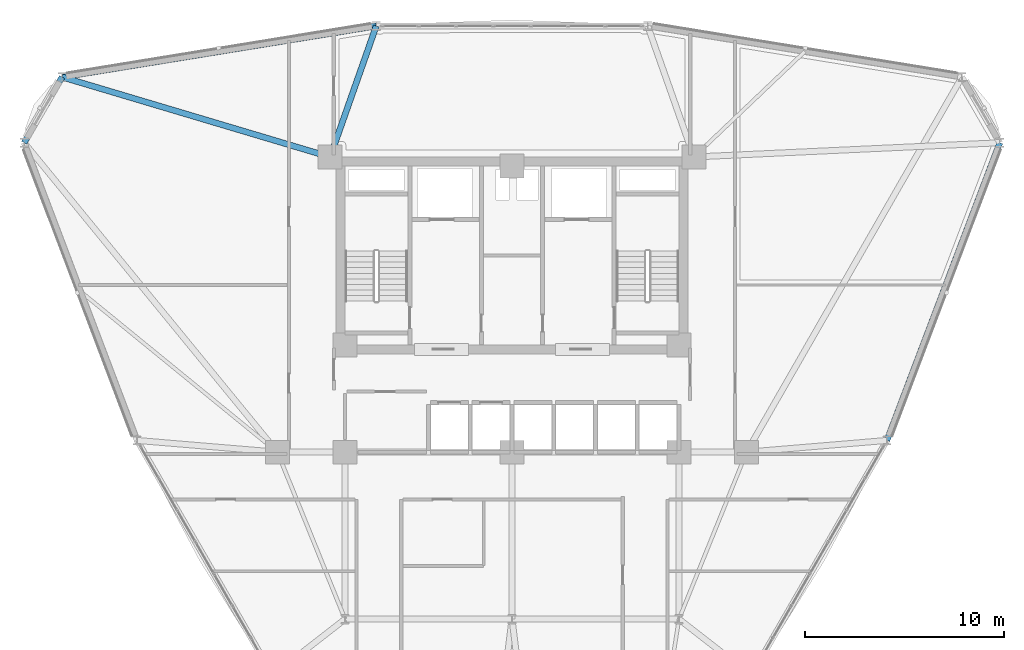
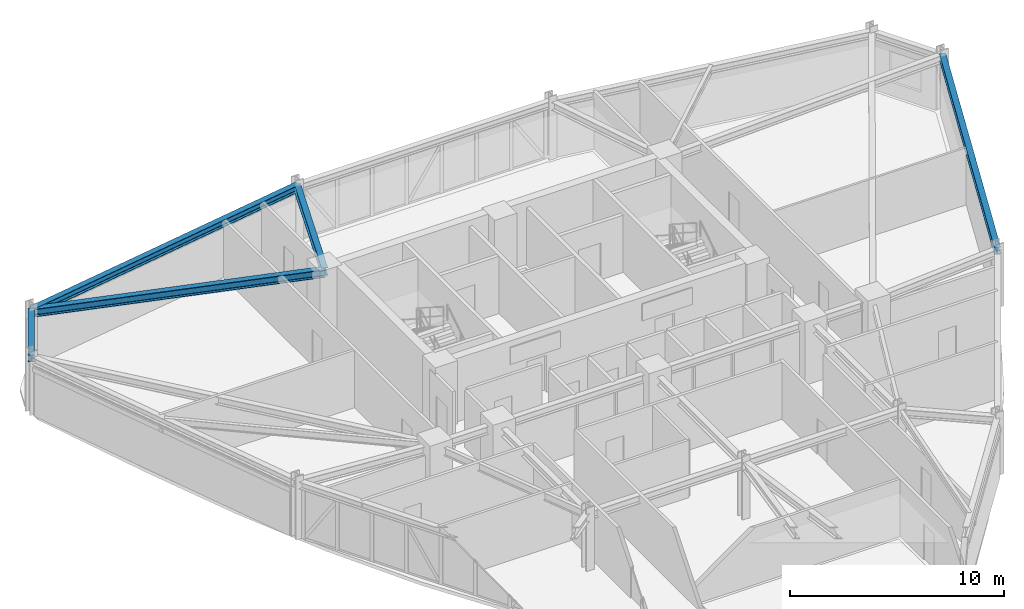
# One storey, part 7 of 17: 5 beams.
"""IFC4 building model written with IfcOpenShell, lengths in metres."""

from ifc_helpers import new_model, si_unit, derived_unit, direction, frame, origin, origin_2d, place, context, subcontext, project, spatial, i_section, extrude, source, transform, mapped, material, material_profile, profile_set, type_object, element, save


model = new_model("IFC4")

# Units and contexts
model_context = context("Model", 3, precision=1e-05, world=origin(), true_north=direction((0.0, 1.0)))
body_context = subcontext(model_context, "Body", "Model", "MODEL_VIEW")
ifc_project = project(units=[si_unit("LENGTHUNIT", "METRE"), si_unit("AREAUNIT", "SQUARE_METRE"), si_unit("VOLUMEUNIT", "CUBIC_METRE"), si_unit("PLANEANGLEUNIT", "RADIAN"), si_unit("MASSUNIT", "GRAM", prefix="KILO"), derived_unit("THERMALTRANSMITTANCEUNIT", [(si_unit("POWERUNIT", "WATT"), 1), (si_unit("LENGTHUNIT", "METRE"), -2), (si_unit("THERMODYNAMICTEMPERATUREUNIT", "KELVIN"), -1)])], contexts=[model_context])

# Site, building, storey
site_placement = place(None, origin())
site = spatial("IfcSite", under=ifc_project, at=site_placement, CompositionType="ELEMENT")
building_placement = place(site_placement, origin())
building = spatial("IfcBuilding", under=site, at=building_placement, Name="Korsvarv Bourse and Concert Hall", CompositionType="ELEMENT")
storey_placement = place(building_placement, frame((0.0, 0.0, 127.800048828125)))
storey = spatial("IfcBuildingStorey", under=building, at=storey_placement, Name="L32", CompositionType="ELEMENT", Elevation=127.800048828125)

# Beams
ifc_material = material(Name="Steel S355", Category="steel")
ifc_material_profile_1 = material_profile(ifc_material, i_section(OverallWidth=0.300048828125, OverallDepth=0.39990234375, WebThickness=0.013427734375, FlangeThickness=0.02392578125, FilletRadius=0.02099609375, at=origin_2d()), Name="HEB 400")
ifc_profile_set_1 = profile_set([ifc_material_profile_1], Name="Steel S355")
beam_type_1 = type_object("IfcBeamType", Name="BM-HEB400", PredefinedType="SPANDREL", material=ifc_profile_set_1)
shared_shape_1 = source(origin(), body_context, "Body", "SweptSolid", [
    extrude(i_section(OverallWidth=0.300048828125, OverallDepth=0.39990234375, WebThickness=0.013427734375, FlangeThickness=0.02392578125, FilletRadius=0.02099609375, at=origin_2d()), origin(), (0.0, 0.0, 1.0), 3.81591796875),
])
beam_1_placement = place(storey_placement, frame((13.3662109375, 51.270751953125, 3.06005859375), z_axis=(-0.499999364504, -0.866025770688, 0.0), x_axis=(0.866025770688, -0.499999364504, 0.0)))
element("IfcBeam", 1, at=beam_1_placement, inside=storey, type_object=beam_type_1, Name="L32 beam B-09", PredefinedType="SPANDREL", context=body_context, shape_type="MappedRepresentation", body=[
    mapped(shared_shape_1, transform((0.0, 0.0, 0.0), scale=1.0)),
])
shared_shape_2 = source(origin(), body_context, "Body", "SweptSolid", [
    extrude(i_section(OverallWidth=0.300048828125, OverallDepth=0.39990234375, WebThickness=0.013427734375, FlangeThickness=0.02392578125, FilletRadius=0.02099609375, at=origin_2d()), origin(), (0.0, 0.0, 1.0), 16.014892578125),
])
beam_2_placement = place(storey_placement, frame((29.17333984375, 53.84130859375, 3.06005859375), z_axis=(-0.98703396265, -0.160511546547, 0.0), x_axis=(0.160511546547, -0.98703396265, 0.0)))
element("IfcBeam", 2, at=beam_2_placement, inside=storey, type_object=beam_type_1, Name="L32 beam B-09", PredefinedType="SPANDREL", context=body_context, shape_type="MappedRepresentation", body=[
    mapped(shared_shape_2, transform((0.0, 0.0, 0.0), scale=1.0)),
])
shared_shape_3 = source(origin(), body_context, "Body", "SweptSolid", [
    extrude(i_section(OverallWidth=0.300048828125, OverallDepth=0.39990234375, WebThickness=0.013427734375, FlangeThickness=0.02392578125, FilletRadius=0.02099609375, at=origin_2d()), origin(), (0.0, 0.0, 1.0), 16.0146484375),
])
beam_3_placement = place(storey_placement, frame((54.8642578125, 32.991455078125, 3.06005859375), z_axis=(0.354515902653, 0.93504998517, 0.0), x_axis=(-0.93504998517, 0.354515902653, 0.0)))
element("IfcBeam", 3, at=beam_3_placement, inside=storey, type_object=beam_type_1, Name="L32 beam B-09", PredefinedType="SPANDREL", context=body_context, shape_type="MappedRepresentation", body=[
    mapped(shared_shape_3, transform((0.0, 0.0, 0.0), scale=1.0)),
])
ifc_material_profile_2 = material_profile(ifc_material, i_section(OverallWidth=0.300048828125, OverallDepth=0.449951171875, WebThickness=0.013916015625, FlangeThickness=0.02587890625, FilletRadius=0.02099609375, at=origin_2d()), Name="HEB 450")
ifc_profile_set_2 = profile_set([ifc_material_profile_2], Name="Steel S355")
beam_type_2 = type_object("IfcBeamType", Name="BM-HEB450", PredefinedType="SPANDREL", material=ifc_profile_set_2)
shared_shape_4 = source(origin(), body_context, "Body", "SweptSolid", [
    extrude(i_section(OverallWidth=0.300048828125, OverallDepth=0.449951171875, WebThickness=0.013916015625, FlangeThickness=0.02587890625, FilletRadius=0.02099609375, at=origin_2d()), origin(), (0.0, 0.0, 1.0), 6.98876953125),
])
beam_4_placement = place(storey_placement, frame((29.17333984375, 53.84130859375, 3.034912109375), z_axis=(-0.332425395901, -0.943129554282, 0.0), x_axis=(0.943129554282, -0.332425395901, 0.0)))
element("IfcBeam", 4, at=beam_4_placement, inside=storey, type_object=beam_type_2, Name="L32 beam B-08", PredefinedType="SPANDREL", context=body_context, shape_type="MappedRepresentation", body=[
    mapped(shared_shape_4, transform((0.0, 0.0, 0.0), scale=1.0)),
])
shared_shape_5 = source(origin(), body_context, "Body", "SweptSolid", [
    extrude(i_section(OverallWidth=0.300048828125, OverallDepth=0.449951171875, WebThickness=0.013916015625, FlangeThickness=0.02587890625, FilletRadius=0.02099609375, at=origin_2d()), origin(), (0.0, 0.0, 1.0), 14.070556640625),
])
beam_5_placement = place(storey_placement, frame((13.3662109375, 51.270751953125, 3.034912109375), z_axis=(0.958302516287, -0.285755642599, 0.0), x_axis=(0.285755642599, 0.958302516287, 0.0)))
element("IfcBeam", 5, at=beam_5_placement, inside=storey, type_object=beam_type_2, Name="L32 beam B-08", PredefinedType="SPANDREL", context=body_context, shape_type="MappedRepresentation", body=[
    mapped(shared_shape_5, transform((0.0, 0.0, 0.0), scale=1.0)),
])

save(model, "model.ifc")
